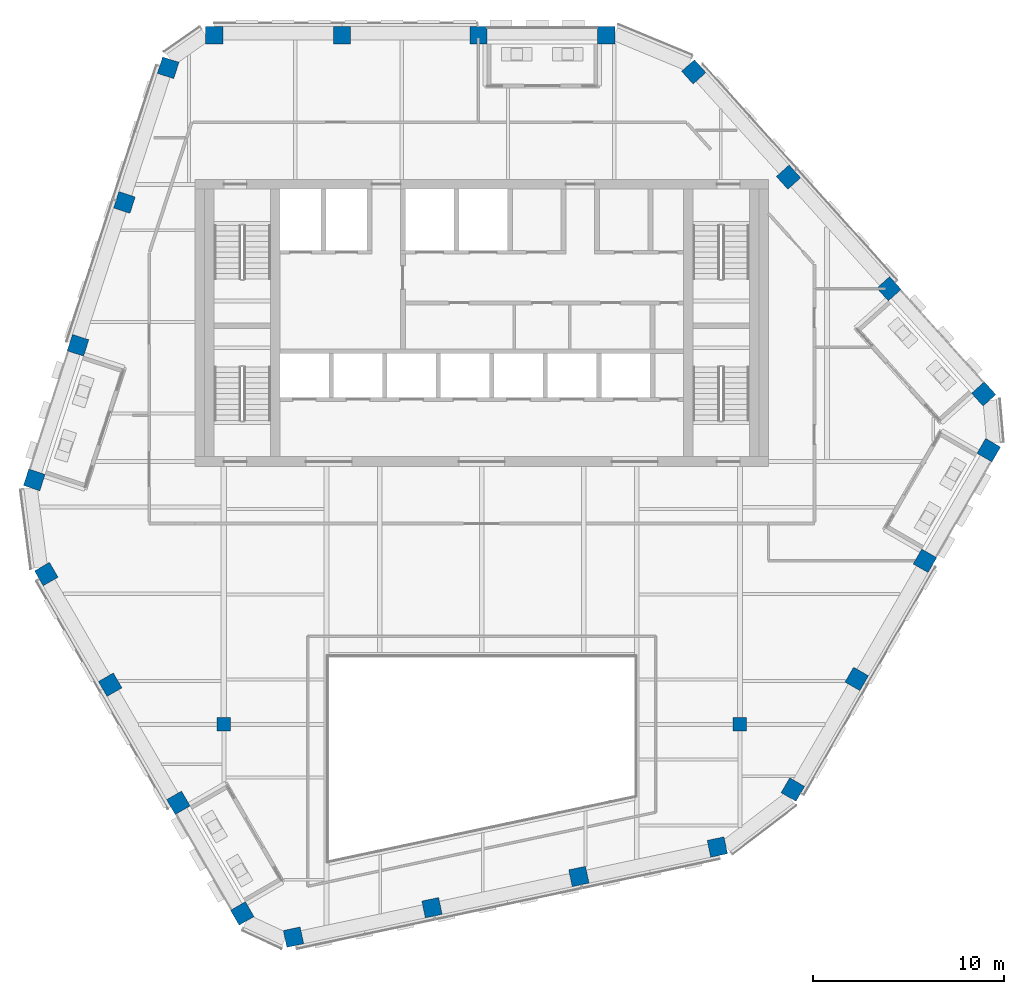
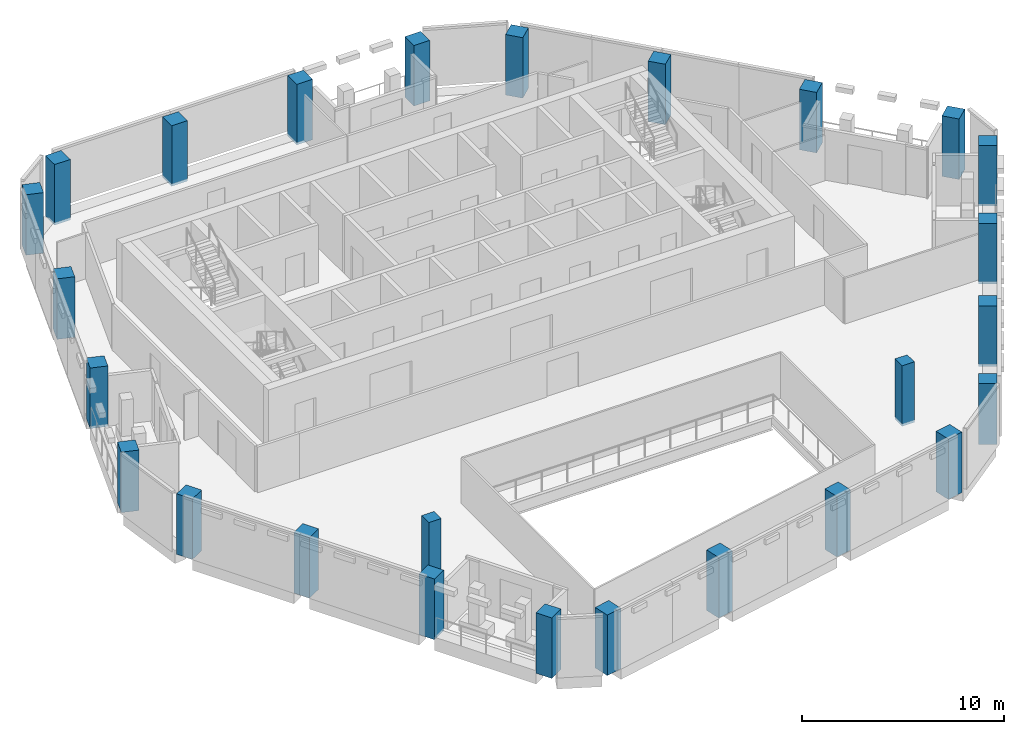
# One storey, part 1 of 22: 26 columns.
"""IFC4 building model written with IfcOpenShell, lengths in metres."""

from ifc_helpers import new_model, si_unit, direction, frame, origin, origin_2d, place, context, subcontext, project, spatial, rectangle, extrude, material, material_profile, profile_set, type_object, element, save


model = new_model("IFC4")

# Units and contexts
model_context = context("Model", 3, precision=1e-05, world=origin(), true_north=direction((0.0, 1.0)))
body_context = subcontext(model_context, "Body", "Model", "MODEL_VIEW")
ifc_project = project(units=[si_unit("LENGTHUNIT", "METRE"), si_unit("AREAUNIT", "SQUARE_METRE"), si_unit("VOLUMEUNIT", "CUBIC_METRE"), si_unit("PLANEANGLEUNIT", "RADIAN"), si_unit("MASSUNIT", "GRAM", prefix="KILO")], contexts=[model_context])

# Site, building, storey
site_placement = place(None, origin())
site = spatial("IfcSite", under=ifc_project, at=site_placement, CompositionType="ELEMENT")
building_placement = place(site_placement, origin())
building = spatial("IfcBuilding", under=site, at=building_placement, Name="Isthmus Gate Tower", CompositionType="ELEMENT")
storey_placement = place(building_placement, frame((0.0, 0.0, 264.60009765625)))
storey = spatial("IfcBuildingStorey", under=building, at=storey_placement, Name="L67", CompositionType="ELEMENT", Elevation=264.60009765625)

# Columns
ifc_material_1 = material(Name="Concrete f'c 50 MPa", Category="concrete")
ifc_material_profile_1 = material_profile(ifc_material_1, rectangle(XDim=0.699951171875, YDim=0.699951171875, at=origin_2d()), Name="RC 700X700")
ifc_profile_set_1 = profile_set([ifc_material_profile_1], Name="Concrete f'c 50 MPa")
column_type_1 = type_object("IfcColumnType", Name="RC INTERIOR COLUMN 700 X 700", PredefinedType="COLUMN", material=ifc_profile_set_1)
for number, where, z_axis, x_axis, name in (
    (1, (-13.5, -13.5, -0.150146484375), (0.0, 0.0, 1.0), (1.0, 0.0, 0.0), "str-icol-L67-ICB2"),
    (2, (13.5, -13.5, -0.150146484375), (0.0, 0.0, 1.0), (1.0, 0.0, 0.0), "str-icol-L67-ICD2"),
):
    element("IfcColumn", number, at=place(storey_placement, frame(where, z_axis=z_axis, x_axis=x_axis)), inside=storey, type_object=column_type_1, Name=name, PredefinedType="COLUMN", context=body_context, shape_type="SweptSolid", body=[
        extrude(rectangle(XDim=0.699951171875, YDim=0.699951171875, at=origin_2d()), origin(), (0.0, 0.0, 1.0), 3.650146484375),
    ])
ifc_material_2 = material(Name="Concrete f'c 50 MPa", Category="concrete")
ifc_material_profile_2 = material_profile(ifc_material_2, rectangle(XDim=0.89990234375, YDim=0.89990234375, at=origin_2d()), Name="RC 900X900")
ifc_profile_set_2 = profile_set([ifc_material_profile_2], Name="Concrete f'c 50 MPa")
column_type_2 = type_object("IfcColumnType", Name="RC TUBE COLUMN 900 X 900", PredefinedType="COLUMN", material=ifc_profile_set_2)
for number, where, z_axis, x_axis, name in (
    (3, (6.509521484375, 22.550048828125, -0.150146484375), (0.0, 0.0, 1.0), (-1.0, 0.0, 0.0), "str-tcol-L67-T4N0"),
    (4, (-0.175048828125, 22.550048828125, -0.150146484375), (0.0, 0.0, 1.0), (-1.0, 0.0, 0.0), "str-tcol-L67-T4N1"),
    (5, (-7.3095703125, 22.550048828125, -0.150146484375), (0.0, 0.0, 1.0), (-1.0, 0.0, 0.0), "str-tcol-L67-T4N2"),
    (6, (-13.994140625, 22.550048828125, -0.150146484375), (0.0, 0.0, 1.0), (-1.0, 0.0, 0.0), "str-tcol-L67-T4N3"),
    (7, (-16.408203125, 20.847900390625, -0.150146484375), (0.0, 0.0, 1.0), (-0.309016994375, -0.951056516295, 0.0), "str-tcol-L67-T4NW0"),
    (8, (-18.697021484375, 13.8037109375, -0.150146484375), (0.0, 0.0, 1.0), (-0.309016994375, -0.951056516295, 0.0), "str-tcol-L67-T4NW1"),
    (9, (-21.124755859375, 6.331298828125, -0.150146484375), (0.0, 0.0, 1.0), (-0.309016994375, -0.951056516295, 0.0), "str-tcol-L67-T4NW2"),
    (10, (-23.41357421875, -0.712890625, -0.150146484375), (0.0, 0.0, 1.0), (-0.309016994375, -0.951056516295, 0.0), "str-tcol-L67-T4NW3"),
    (11, (-22.78369140625, -5.6376953125, -0.150146484375), (0.0, 0.0, 1.0), (0.5, -0.866025403784, 0.0), "str-tcol-L67-T4SW0"),
    (12, (-19.44140625, -11.426513671875, -0.150146484375), (0.0, 0.0, 1.0), (0.5, -0.866025403784, 0.0), "str-tcol-L67-T4SW1"),
    (13, (-15.8740234375, -17.605224609375, -0.150146484375), (0.0, 0.0, 1.0), (0.5, -0.866025403784, 0.0), "str-tcol-L67-T4SW2"),
    (14, (-12.53173828125, -23.394287109375, -0.150146484375), (0.0, 0.0, 1.0), (0.5, -0.866025403784, 0.0), "str-tcol-L67-T4SW3"),
    (15, (-9.850830078125, -24.6337890625, -0.150146484375), (0.0, 0.0, 1.0), (0.978147600734, 0.207911690818, 0.0), "str-tcol-L67-T4S0"),
    (16, (-2.605712890625, -23.09375, -0.150146484375), (0.0, 0.0, 1.0), (0.978147600734, 0.207911690818, 0.0), "str-tcol-L67-T4S1"),
    (17, (5.079345703125, -21.460205078125, -0.150146484375), (0.0, 0.0, 1.0), (0.978147600734, 0.207911690818, 0.0), "str-tcol-L67-T4S2"),
    (18, (12.32421875, -19.92041015625, -0.150146484375), (0.0, 0.0, 1.0), (0.978147600734, 0.207911690818, 0.0), "str-tcol-L67-T4S3"),
    (19, (16.274169921875, -16.912353515625, -0.150146484375), (0.0, 0.0, 1.0), (0.5, 0.866025403784, 0.0), "str-tcol-L67-T4SE0"),
    (20, (19.616455078125, -11.123291015625, -0.150146484375), (0.0, 0.0, 1.0), (0.5, 0.866025403784, 0.0), "str-tcol-L67-T4SE1"),
    (21, (23.18359375, -4.944580078125, -0.150146484375), (0.0, 0.0, 1.0), (0.5, 0.866025403784, 0.0), "str-tcol-L67-T4SE2"),
    (22, (26.52587890625, 0.84423828125, -0.150146484375), (0.0, 0.0, 1.0), (0.5, 0.866025403784, 0.0), "str-tcol-L67-T4SE3"),
    (23, (26.2587890625, 3.785888671875, -0.150146484375), (0.0, 0.0, 1.0), (-0.669130606359, 0.743144825477, 0.0), "str-tcol-L67-T4NE0"),
    (24, (21.302734375, 9.290283203125, -0.150146484375), (0.0, 0.0, 1.0), (-0.669130606359, 0.743144825477, 0.0), "str-tcol-L67-T4NE1"),
    (25, (16.04541015625, 15.12890625, -0.150146484375), (0.0, 0.0, 1.0), (-0.669130606359, 0.743144825477, 0.0), "str-tcol-L67-T4NE2"),
    (26, (11.08935546875, 20.63330078125, -0.150146484375), (0.0, 0.0, 1.0), (-0.669130606359, 0.743144825477, 0.0), "str-tcol-L67-T4NE3"),
):
    element("IfcColumn", number, at=place(storey_placement, frame(where, z_axis=z_axis, x_axis=x_axis)), inside=storey, type_object=column_type_2, Name=name, PredefinedType="COLUMN", context=body_context, shape_type="SweptSolid", body=[
        extrude(rectangle(XDim=0.89990234375, YDim=0.89990234375, at=origin_2d()), origin(), (0.0, 0.0, 1.0), 3.650146484375),
    ])

save(model, "model.ifc")
